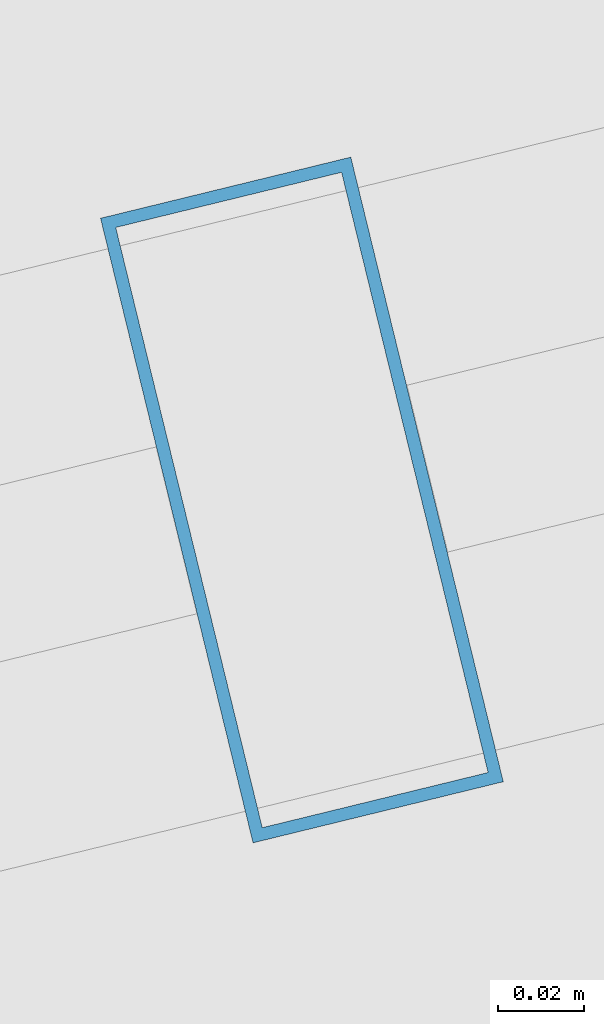
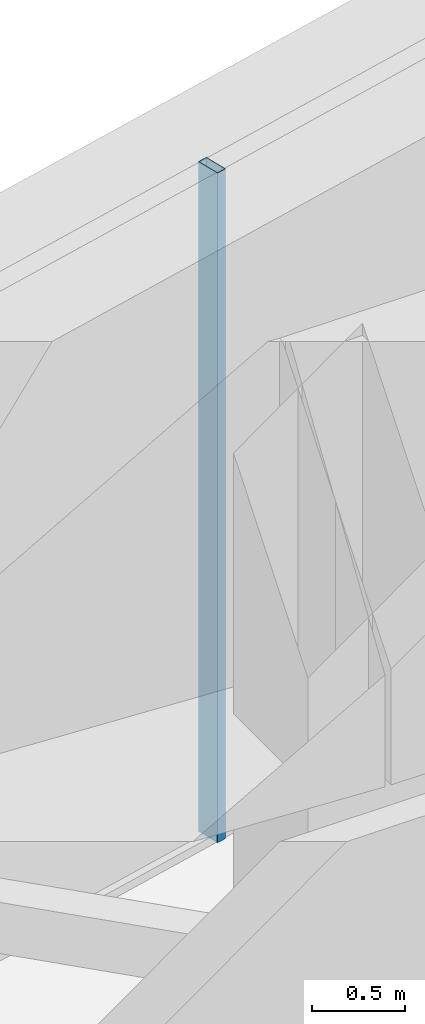
# One storey, part 31 of 39: 1 member, 1 element without a shape of its own.
"""IFC4 building model written with IfcOpenShell, lengths in metres."""

from ifc_helpers import new_model, si_unit, direction, frame, origin, origin_2d, place, context, subcontext, project, spatial, hollow_rectangle, extrude, source, transform, mapped, material, layer, layer_set, material_profile, profile_set, type_object, element, aggregate, save


model = new_model("IFC4")

# Units and contexts
model_context = context("Model", 3, precision=1e-05, world=origin(), true_north=direction((0.0, 1.0)))
body_context = subcontext(model_context, "Body", "Model", "MODEL_VIEW")
ifc_project = project(units=[si_unit("LENGTHUNIT", "METRE"), si_unit("AREAUNIT", "SQUARE_METRE"), si_unit("VOLUMEUNIT", "CUBIC_METRE"), si_unit("PLANEANGLEUNIT", "RADIAN"), si_unit("MASSUNIT", "GRAM", prefix="KILO")], contexts=[model_context])

# Site, building, storey
site_placement = place(None, origin())
site = spatial("IfcSite", under=ifc_project, at=site_placement, CompositionType="ELEMENT")
building_placement = place(site_placement, origin())
building = spatial("IfcBuilding", under=site, at=building_placement, Name="Veraguas Prism Commons", CompositionType="ELEMENT")
storey_placement = place(building_placement, frame((0.0, 0.0, 264.25)))
storey = spatial("IfcBuildingStorey", under=building, at=storey_placement, Name="L75", CompositionType="ELEMENT", Elevation=264.25)

# Curtain wall, member
ifc_material = material(Name="Anodised aluminium EN AW-6063 T6", Category="aluminium")
ifc_layer = layer(ifc_material, 0.14990234375, Name="Unitised Flush Curtain Wall Zone 4", Category="aluminium")
ifc_layer_set = layer_set([ifc_layer], Name="Anodised aluminium EN AW-6063 T6")
curtain_wall_type = type_object("IfcCurtainWallType", Name="Unitised Flush Curtain Wall Zone 4", PredefinedType="NOTDEFINED", material=ifc_layer_set)
curtain_wall_placement = place(storey_placement, origin())
curtain_wall = element("IfcCurtainWall", 1, at=curtain_wall_placement, inside=storey, type_object=curtain_wall_type, Name="Tower Facade Curtain Wall L75-F2", PredefinedType="NOTDEFINED")
ifc_material_profile = material_profile(ifc_material, hollow_rectangle(XDim=0.06005859375, YDim=0.14990234375, WallThickness=0.0029296875, at=origin_2d()), Name="AL60X150X3")
ifc_profile_set = profile_set([ifc_material_profile], Name="Anodised aluminium EN AW-6063 T6")
member_type = type_object("IfcMemberType", Name="Curtain Wall Mullion Upper AL 60x150x3", PredefinedType="MULLION", material=ifc_profile_set)
shared_shape = source(origin(), body_context, "Body", "SweptSolid", [
    extrude(hollow_rectangle(XDim=0.06005859375, YDim=0.14990234375, WallThickness=0.0029296875, at=origin_2d()), origin(), (0.0, 0.0, 1.0), 4.389892578125),
])
member_placement = place(storey_placement, frame((20.097412109375, 39.98486328125, 0.0), z_axis=(0.0, 0.0, 1.0), x_axis=(-0.97146556079, -0.237180657305, 0.0)))
member = element("IfcMember", 2, at=member_placement, type_object=member_type, Name="CW-Z4 Mullion 3", PredefinedType="MULLION", context=body_context, shape_type="MappedRepresentation", body=[
    mapped(shared_shape, transform((0.0, 0.0, 0.0), scale=1.0)),
])
aggregate(curtain_wall, [member])

save(model, "model.ifc")
